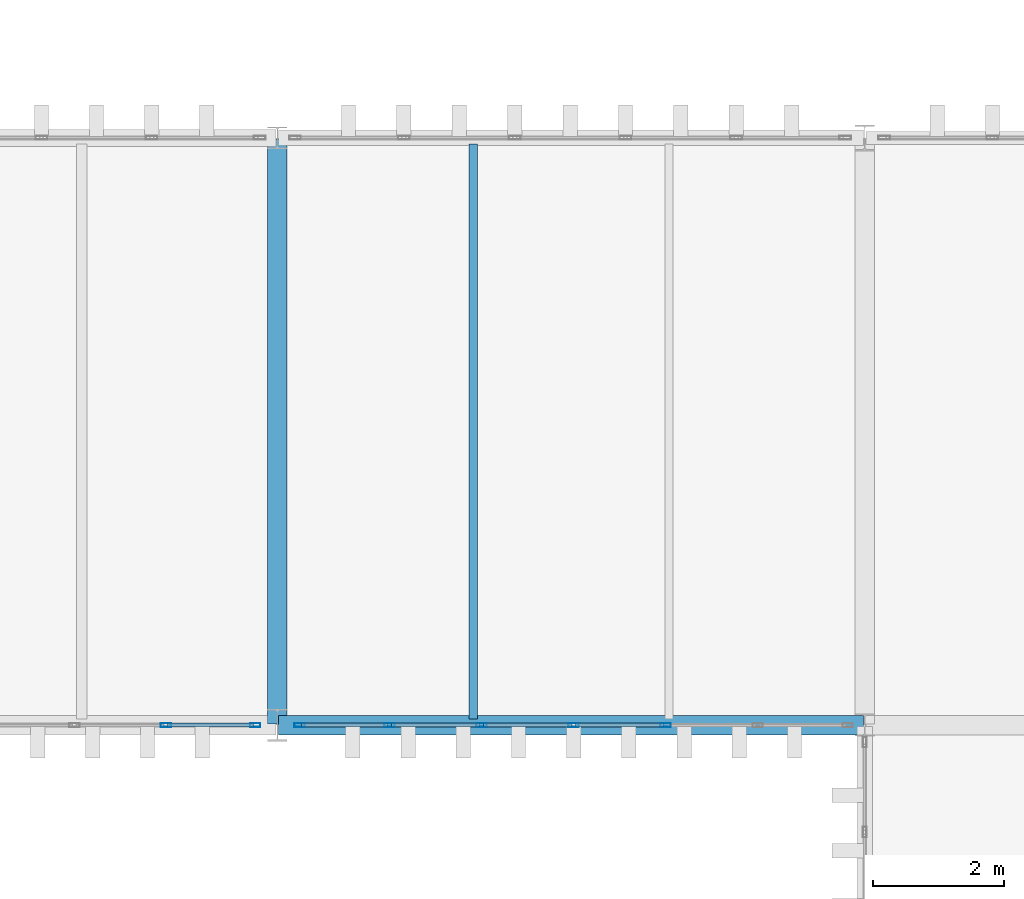
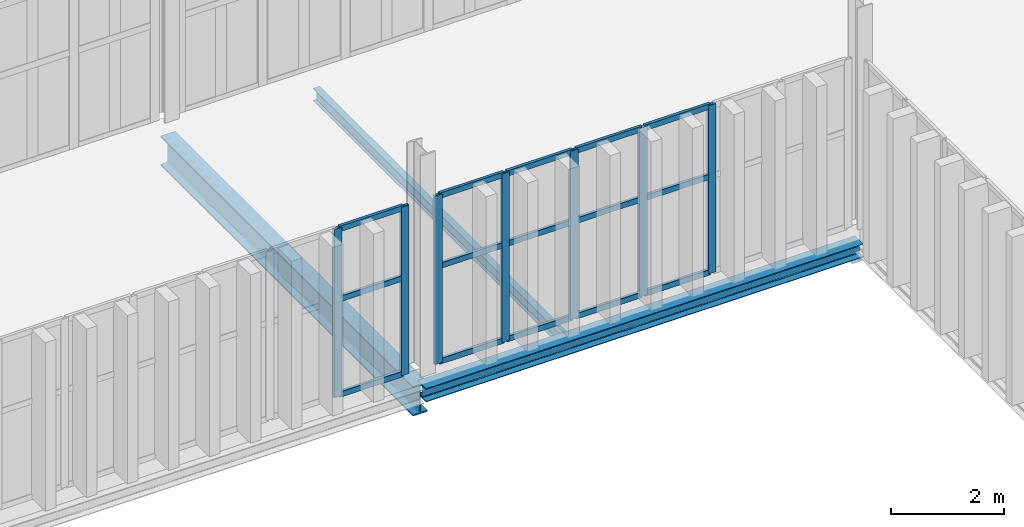
# One storey, part 142 of 196: 22 members, 3 beams, 2 elements without a shape of their own.
"""IFC4 building model written with IfcOpenShell, lengths in metres."""

import ifcopenshell
import ifcopenshell.guid

model = None  # the IFC model being written
_history = None  # IfcOwnerHistory: only IFC2X3 demands one
_inside = {}  # id of a spatial element -> (the spatial element, [elements in it])
_under = {}  # id of a project, library or spatial element -> (it, [spatial elements below it])
_declared = {}  # id of a project -> (the project, [libraries it declares])
_typed = {}  # id of a type object -> (the type object, [elements of that type])
_made_of = {}  # id of a material, layer set ... -> (it, [elements and type objects made of it])


def new_model(schema):
    """Start an empty IFC model of exactly this schema.

    Asked for "IFC4X3", IfcOpenShell would pick the latest addendum, in which some entities
    have other attributes; the version numbers below select the first issue.
    IFC2X3 requires an IfcOwnerHistory on every rooted entity: one is made here for all.
    """
    global model, _history
    if schema == "IFC4X3":
        model = ifcopenshell.file(schema_version=(4, 3, 0, 0))
    else:
        model = ifcopenshell.file(schema=schema)
    _inside.clear()
    _under.clear()
    _declared.clear()
    _typed.clear()
    _made_of.clear()
    _history = None
    if model.schema == "IFC2X3":
        org = make("IfcOrganization", Name="unknown")
        user = make(
            "IfcPersonAndOrganization",
            ThePerson=make("IfcPerson", FamilyName="unknown"),
            TheOrganization=org,
        )
        app = make(
            "IfcApplication",
            ApplicationDeveloper=org,
            Version="unknown",
            ApplicationFullName="unknown",
            ApplicationIdentifier="unknown",
        )
        _history = make(
            "IfcOwnerHistory",
            OwningUser=user,
            OwningApplication=app,
            ChangeAction="ADDED",
            CreationDate=0,
        )
    return model


def make(cls, **values):
    """One entity of the class cls with the attributes given. An attribute that is None is left unset."""
    return model.create_entity(
        cls, **{name: value for name, value in values.items() if value is not None}
    )


def rooted(cls, **values):
    """An entity with a GlobalId (a new one), such as an element, a storey or a relation."""
    return make(cls, GlobalId=ifcopenshell.guid.new(), OwnerHistory=_history, **values)


def si_unit(unit_type, name, prefix=None):
    """IfcSIUnit, for example si_unit("LENGTHUNIT", "METRE", prefix="MILLI")."""
    return make("IfcSIUnit", UnitType=unit_type, Prefix=prefix, Name=name)


def assignment(units):
    """IfcUnitAssignment: the units of a project."""
    return None if units is None else make("IfcUnitAssignment", Units=units)


def point(xyz):
    """IfcCartesianPoint."""
    return None if xyz is None else make("IfcCartesianPoint", Coordinates=xyz)


def direction(xyz):
    """IfcDirection."""
    return None if xyz is None else make("IfcDirection", DirectionRatios=xyz)


def frame(location, z_axis=None, x_axis=None):
    """IfcAxis2Placement3D, a coordinate frame: its origin and axes. An axis left out is left unset."""
    return make(
        "IfcAxis2Placement3D",
        Location=point(location),
        Axis=direction(z_axis),
        RefDirection=direction(x_axis),
    )


def frame_2d(location, x_axis=None):
    """IfcAxis2Placement2D, a coordinate frame in the plane: its origin and x axis."""
    return make(
        "IfcAxis2Placement2D", Location=point(location), RefDirection=direction(x_axis)
    )


def origin():
    """The frame at (0, 0, 0) with its axes left unset."""
    return frame((0.0, 0.0, 0.0))


def origin_2d():
    """The frame at (0, 0) in the plane with its x axis left unset."""
    return frame_2d((0.0, 0.0))


def place(relative_to, where):
    """IfcLocalPlacement: puts the frame where relative to a parent placement (None: the world)."""
    return make(
        "IfcLocalPlacement", PlacementRelTo=relative_to, RelativePlacement=where
    )


def context(
    kind, dimensions, precision=None, world=None, true_north=None, identifier=None
):
    """IfcGeometricRepresentationContext, for example the 3D "Model" context."""
    return make(
        "IfcGeometricRepresentationContext",
        ContextIdentifier=identifier,
        ContextType=kind,
        CoordinateSpaceDimension=dimensions,
        Precision=precision,
        WorldCoordinateSystem=world,
        TrueNorth=true_north,
    )


def subcontext(parent, identifier, kind, view, scale=None):
    """IfcGeometricRepresentationSubContext, for example "Body" below "Model"."""
    return make(
        "IfcGeometricRepresentationSubContext",
        ContextIdentifier=identifier,
        ContextType=kind,
        ParentContext=parent,
        TargetScale=scale,
        TargetView=view,
    )


def project(units=None, contexts=None):
    """IfcProject with its units and contexts."""
    return rooted(
        "IfcProject",
        Name="project",
        RepresentationContexts=contexts,
        UnitsInContext=assignment(units),
    )


def spatial(cls, under=None, at=None, **own):
    """A site, building, storey or space (cls), placed at a placement, below another one or the project."""
    s = rooted(cls, ObjectPlacement=at, **own)
    if under is not None:
        _under.setdefault(under.id(), (under, []))[1].append(s)
    return s


def profile(cls, at=None, kind="AREA", **sizes):
    """A parametric profile (cls). Its sizes go by their IFC names, for example OverallWidth=200.0."""
    return make(cls, ProfileType=kind, Position=at, **sizes)


def hollow_rectangle(**sizes):
    """IfcRectangleHollowProfileDef."""
    return profile("IfcRectangleHollowProfileDef", **sizes)


def i_section(**sizes):
    """IfcIShapeProfileDef."""
    return profile("IfcIShapeProfileDef", **sizes)


def extrude(swept, where, along, depth):
    """IfcExtrudedAreaSolid: the profile swept, set in the frame where, extruded along a direction by depth."""
    return make(
        "IfcExtrudedAreaSolid",
        SweptArea=swept,
        Position=where,
        ExtrudedDirection=direction(along),
        Depth=depth,
    )


def shape(context_of_items, identifier, shape_type, items):
    """IfcShapeRepresentation: the items that make up one representation, for example the "Body"."""
    return make(
        "IfcShapeRepresentation",
        ContextOfItems=context_of_items,
        RepresentationIdentifier=identifier,
        RepresentationType=shape_type,
        Items=items,
    )


def material(Name=None, Category=None):
    """IfcMaterial."""
    return make("IfcMaterial", Name=Name, Category=Category)


def layer(
    of_material, thickness, ventilated=None, Name=None, Category=None, Priority=None
):
    """IfcMaterialLayer: one layer of a wall or slab, of a material (None: an air gap)."""
    return make(
        "IfcMaterialLayer",
        Material=of_material,
        LayerThickness=thickness,
        IsVentilated=ventilated,
        Name=Name,
        Category=Category,
        Priority=Priority,
    )


def layer_set(layers, Name=None):
    """IfcMaterialLayerSet."""
    return make("IfcMaterialLayerSet", MaterialLayers=layers, LayerSetName=Name)


def material_profile(
    of_material, cross_section, Name=None, Category=None, Priority=None
):
    """IfcMaterialProfile: a cross section and its material."""
    return make(
        "IfcMaterialProfile",
        Name=Name,
        Material=of_material,
        Profile=cross_section,
        Priority=Priority,
        Category=Category,
    )


def profile_set(profiles, Name=None, composite=None):
    """IfcMaterialProfileSet."""
    return make(
        "IfcMaterialProfileSet",
        Name=Name,
        MaterialProfiles=profiles,
        CompositeProfile=composite,
    )


def made_of(thing, what):
    """Note that an element or type object is made of a material, layer set ...; save() writes the relation."""
    if what is not None:
        _made_of.setdefault(what.id(), (what, []))[1].append(thing)
    return thing


def type_object(cls, material=None, **own):
    """A type object (cls), such as IfcWallType, which elements share."""
    return made_of(rooted(cls, **own), material)


def element(
    cls,
    number,
    at=None,
    inside=None,
    cuts=None,
    type_object=None,
    material=None,
    context=None,
    identifier="Body",
    shape_type=None,
    held_by="IfcProductDefinitionShape",
    body=None,
    shapes=None,
    **own,
):
    """One element of the class cls, such as IfcWall. Its Tag is "e" and its number.

    at: its placement. inside: the storey or other place that contains it. cuts: it is an
    opening in that element (IfcRelVoidsElement). A single representation is given by context,
    identifier, shape_type and body (its items); several are given by shapes. held_by: the class
    of the entity that holds the representations. save() writes the other relations.
    """
    e = rooted(cls, Tag="e%d" % number, ObjectPlacement=at, **own)
    if body is not None:
        shapes = [shape(context, identifier, shape_type, body)]
    if shapes is not None:
        e.Representation = make(held_by, Representations=shapes)
    if inside is not None:
        _inside.setdefault(inside.id(), (inside, []))[1].append(e)
    if cuts is not None:
        rooted(
            "IfcRelVoidsElement", RelatingBuildingElement=cuts, RelatedOpeningElement=e
        )
    if type_object is not None:
        _typed.setdefault(type_object.id(), (type_object, []))[1].append(e)
    return made_of(e, material)


def aggregate(whole, parts):
    """IfcRelAggregates: a whole, such as a stair, and the parts it consists of."""
    return rooted("IfcRelAggregates", RelatingObject=whole, RelatedObjects=parts)


def save(model, path):
    """Write the relations noted so far, then the file.

    IfcRelAggregates (storeys below a building ...), IfcRelContainedInSpatialStructure (elements
    in a storey), IfcRelDefinesByType, IfcRelAssociatesMaterial and IfcRelDeclares: one each for
    every whole, place, type object, material and project.
    """
    for whole, parts in _under.values():
        aggregate(whole, parts)
    for where, things in _inside.values():
        rooted(
            "IfcRelContainedInSpatialStructure",
            RelatedElements=things,
            RelatingStructure=where,
        )
    for kind, things in _typed.values():
        rooted("IfcRelDefinesByType", RelatedObjects=things, RelatingType=kind)
    for what, things in _made_of.values():
        rooted("IfcRelAssociatesMaterial", RelatedObjects=things, RelatingMaterial=what)
    for by, libraries in _declared.values():
        rooted("IfcRelDeclares", RelatingContext=by, RelatedDefinitions=libraries)
    model.write(path)


model = new_model("IFC4")

# Units and contexts
model_context = context("Model", 3, precision=1e-05, world=origin(), true_north=direction((0.0, 1.0)))
body_context = subcontext(model_context, "Body", "Model", "MODEL_VIEW")
ifc_project = project(units=[si_unit("LENGTHUNIT", "METRE"), si_unit("AREAUNIT", "SQUARE_METRE"), si_unit("VOLUMEUNIT", "CUBIC_METRE"), si_unit("PLANEANGLEUNIT", "RADIAN"), si_unit("MASSUNIT", "GRAM", prefix="KILO")], contexts=[model_context])

# Site, building, storey
site_placement = place(None, origin())
site = spatial("IfcSite", under=ifc_project, at=site_placement, CompositionType="ELEMENT")
building_placement = place(site_placement, origin())
building = spatial("IfcBuilding", under=site, at=building_placement, Name="Barlavento Convention Centre", CompositionType="ELEMENT")
storey_placement = place(building_placement, frame((0.0, 0.0, 18.0)))
storey = spatial("IfcBuildingStorey", under=building, at=storey_placement, Name="L03", CompositionType="ELEMENT", Elevation=18.0)

# Curtain wall, members
ifc_material_1 = material(Name="Powder-coated aluminium and Low-E glass", Category="aluminium")
ifc_layer = layer(ifc_material_1, 0.179931640625)
ifc_layer_set = layer_set([ifc_layer], Name="ARC-CW-PATIO-B")
curtain_wall_type = type_object("IfcCurtainWallType", Name="ARC-CW-PATIO-B", PredefinedType="NOTDEFINED", material=ifc_layer_set)
curtain_wall_1_placement = place(storey_placement, origin())
curtain_wall_1 = element("IfcCurtainWall", 1, at=curtain_wall_1_placement, inside=storey, type_object=curtain_wall_type, Name="L03 unitised curtain wall CW12", PredefinedType="NOTDEFINED")
ifc_material_2 = material(Name="Powder-coated aluminium", Category="aluminium")
ifc_material_profile_1 = material_profile(ifc_material_2, hollow_rectangle(XDim=0.06005859375, YDim=0.159912109375, WallThickness=0.00390625, at=origin_2d()), Name="AL-MULL 60x160x4")
ifc_profile_set_1 = profile_set([ifc_material_profile_1], Name="Powder-coated aluminium")
member_type_1 = type_object("IfcMemberType", Name="ARC-CWM-60X160", PredefinedType="MULLION", material=ifc_profile_set_1)
member_1_placement = place(storey_placement, frame((160.2890625, 90.0, 0.0), z_axis=(0.0, 0.0, 1.0), x_axis=(0.0, 1.0, 0.0)))
member_1 = element("IfcMember", 2, at=member_1_placement, type_object=member_type_1, Name="CW12 mullion 6", PredefinedType="MULLION", context=body_context, shape_type="SweptSolid", body=[
    extrude(hollow_rectangle(XDim=0.06005859375, YDim=0.159912109375, WallThickness=0.00390625, at=origin_2d()), origin(), (0.0, 0.0, 1.0), 3.64990234375),
])
member_2_placement = place(storey_placement, frame((161.659912109375, 90.0, 0.0), z_axis=(0.0, 0.0, 1.0), x_axis=(0.0, 1.0, 0.0)))
member_2 = element("IfcMember", 3, at=member_2_placement, type_object=member_type_1, Name="CW12 mullion 7", PredefinedType="MULLION", context=body_context, shape_type="SweptSolid", body=[
    extrude(hollow_rectangle(XDim=0.06005859375, YDim=0.159912109375, WallThickness=0.00390625, at=origin_2d()), origin(), (0.0, 0.0, 1.0), 3.64990234375),
])

curtain_wall_2_placement = place(storey_placement, origin())
curtain_wall_2 = element("IfcCurtainWall", 4, at=curtain_wall_2_placement, inside=storey, type_object=curtain_wall_type, Name="L03 unitised curtain wall CW12", PredefinedType="NOTDEFINED")
member_3_placement = place(storey_placement, frame((162.340087890625, 90.0, 0.0), z_axis=(0.0, 0.0, 1.0), x_axis=(0.0, 1.0, 0.0)))
member_3 = element("IfcMember", 5, at=member_3_placement, type_object=member_type_1, Name="CW12 mullion 1", PredefinedType="MULLION", context=body_context, shape_type="SweptSolid", body=[
    extrude(hollow_rectangle(XDim=0.06005859375, YDim=0.159912109375, WallThickness=0.00390625, at=origin_2d()), origin(), (0.0, 0.0, 1.0), 3.64990234375),
])
member_4_placement = place(storey_placement, frame((163.719970703125, 90.0, 0.0), z_axis=(0.0, 0.0, 1.0), x_axis=(0.0, 1.0, 0.0)))
member_4 = element("IfcMember", 6, at=member_4_placement, type_object=member_type_1, Name="CW12 mullion 2", PredefinedType="MULLION", context=body_context, shape_type="SweptSolid", body=[
    extrude(hollow_rectangle(XDim=0.06005859375, YDim=0.159912109375, WallThickness=0.00390625, at=origin_2d()), origin(), (0.0, 0.0, 1.0), 3.64990234375),
])
member_5_placement = place(storey_placement, frame((165.1298828125, 90.0, 0.0), z_axis=(0.0, 0.0, 1.0), x_axis=(0.0, 1.0, 0.0)))
member_5 = element("IfcMember", 7, at=member_5_placement, type_object=member_type_1, Name="CW12 mullion 3", PredefinedType="MULLION", context=body_context, shape_type="SweptSolid", body=[
    extrude(hollow_rectangle(XDim=0.06005859375, YDim=0.159912109375, WallThickness=0.00390625, at=origin_2d()), origin(), (0.0, 0.0, 1.0), 3.64990234375),
])
member_6_placement = place(storey_placement, frame((166.5400390625, 90.0, 0.0), z_axis=(0.0, 0.0, 1.0), x_axis=(0.0, 1.0, 0.0)))
member_6 = element("IfcMember", 8, at=member_6_placement, type_object=member_type_1, Name="CW12 mullion 4", PredefinedType="MULLION", context=body_context, shape_type="SweptSolid", body=[
    extrude(hollow_rectangle(XDim=0.06005859375, YDim=0.159912109375, WallThickness=0.00390625, at=origin_2d()), origin(), (0.0, 0.0, 1.0), 3.64990234375),
])
member_7_placement = place(storey_placement, frame((167.949951171875, 90.0, 0.0), z_axis=(0.0, 0.0, 1.0), x_axis=(0.0, 1.0, 0.0)))
member_7 = element("IfcMember", 9, at=member_7_placement, type_object=member_type_1, Name="CW12 mullion 5", PredefinedType="MULLION", context=body_context, shape_type="SweptSolid", body=[
    extrude(hollow_rectangle(XDim=0.06005859375, YDim=0.159912109375, WallThickness=0.00390625, at=origin_2d()), origin(), (0.0, 0.0, 1.0), 3.64990234375),
])

# Member
ifc_material_profile_2 = material_profile(ifc_material_2, hollow_rectangle(XDim=0.06005859375, YDim=0.1201171875, WallThickness=0.00390625, at=origin_2d()), Name="AL-TRAN 60x120x4")
ifc_profile_set_2 = profile_set([ifc_material_profile_2], Name="Powder-coated aluminium")
member_type_2 = type_object("IfcMemberType", Name="ARC-CWT-60X120", PredefinedType="USERDEFINED", material=ifc_profile_set_2)
member_8_placement = place(storey_placement, frame((160.319091796875, 90.0, 0.030029296875), z_axis=(1.0, 0.0, 0.0), x_axis=(0.0, 1.0, 0.0)))
member_8 = element("IfcMember", 10, at=member_8_placement, type_object=member_type_2, Name="CW12 transom 6.1", ObjectType="TRANSOM", PredefinedType="USERDEFINED", context=body_context, shape_type="SweptSolid", body=[
    extrude(hollow_rectangle(XDim=0.06005859375, YDim=0.1201171875, WallThickness=0.00390625, at=origin_2d()), origin(), (0.0, 0.0, 1.0), 1.310791015625),
])

member_9_placement = place(storey_placement, frame((160.319091796875, 90.0, 2.10009765625), z_axis=(1.0, 0.0, 0.0), x_axis=(0.0, 1.0, 0.0)))
member_9 = element("IfcMember", 11, at=member_9_placement, type_object=member_type_2, Name="CW12 transom 6.2", ObjectType="TRANSOM", PredefinedType="USERDEFINED", context=body_context, shape_type="SweptSolid", body=[
    extrude(hollow_rectangle(XDim=0.06005859375, YDim=0.1201171875, WallThickness=0.00390625, at=origin_2d()), origin(), (0.0, 0.0, 1.0), 1.310791015625),
])

member_10_placement = place(storey_placement, frame((160.319091796875, 90.0, 3.6201171875), z_axis=(1.0, 0.0, 0.0), x_axis=(0.0, 1.0, 0.0)))
member_10 = element("IfcMember", 12, at=member_10_placement, type_object=member_type_2, Name="CW12 transom 6.3", ObjectType="TRANSOM", PredefinedType="USERDEFINED", context=body_context, shape_type="SweptSolid", body=[
    extrude(hollow_rectangle(XDim=0.06005859375, YDim=0.1201171875, WallThickness=0.00390625, at=origin_2d()), origin(), (0.0, 0.0, 1.0), 1.310791015625),
])

aggregate(curtain_wall_1, [member_1, member_2, member_8, member_9, member_10])

member_11_placement = place(storey_placement, frame((162.3701171875, 90.0, 0.030029296875), z_axis=(1.0, 0.0, 0.0), x_axis=(0.0, 1.0, 0.0)))
member_11 = element("IfcMember", 13, at=member_11_placement, type_object=member_type_2, Name="CW12 transom 1.1", ObjectType="TRANSOM", PredefinedType="USERDEFINED", context=body_context, shape_type="SweptSolid", body=[
    extrude(hollow_rectangle(XDim=0.06005859375, YDim=0.1201171875, WallThickness=0.00390625, at=origin_2d()), origin(), (0.0, 0.0, 1.0), 1.31982421875),
])

member_12_placement = place(storey_placement, frame((162.3701171875, 90.0, 2.10009765625), z_axis=(1.0, 0.0, 0.0), x_axis=(0.0, 1.0, 0.0)))
member_12 = element("IfcMember", 14, at=member_12_placement, type_object=member_type_2, Name="CW12 transom 1.2", ObjectType="TRANSOM", PredefinedType="USERDEFINED", context=body_context, shape_type="SweptSolid", body=[
    extrude(hollow_rectangle(XDim=0.06005859375, YDim=0.1201171875, WallThickness=0.00390625, at=origin_2d()), origin(), (0.0, 0.0, 1.0), 1.31982421875),
])

member_13_placement = place(storey_placement, frame((162.3701171875, 90.0, 3.6201171875), z_axis=(1.0, 0.0, 0.0), x_axis=(0.0, 1.0, 0.0)))
member_13 = element("IfcMember", 15, at=member_13_placement, type_object=member_type_2, Name="CW12 transom 1.3", ObjectType="TRANSOM", PredefinedType="USERDEFINED", context=body_context, shape_type="SweptSolid", body=[
    extrude(hollow_rectangle(XDim=0.06005859375, YDim=0.1201171875, WallThickness=0.00390625, at=origin_2d()), origin(), (0.0, 0.0, 1.0), 1.31982421875),
])

member_14_placement = place(storey_placement, frame((163.75, 90.0, 0.030029296875), z_axis=(1.0, 0.0, 0.0), x_axis=(0.0, 1.0, 0.0)))
member_14 = element("IfcMember", 16, at=member_14_placement, type_object=member_type_2, Name="CW12 transom 2.1", ObjectType="TRANSOM", PredefinedType="USERDEFINED", context=body_context, shape_type="SweptSolid", body=[
    extrude(hollow_rectangle(XDim=0.06005859375, YDim=0.1201171875, WallThickness=0.00390625, at=origin_2d()), origin(), (0.0, 0.0, 1.0), 1.35009765625),
])

member_15_placement = place(storey_placement, frame((163.75, 90.0, 2.10009765625), z_axis=(1.0, 0.0, 0.0), x_axis=(0.0, 1.0, 0.0)))
member_15 = element("IfcMember", 17, at=member_15_placement, type_object=member_type_2, Name="CW12 transom 2.2", ObjectType="TRANSOM", PredefinedType="USERDEFINED", context=body_context, shape_type="SweptSolid", body=[
    extrude(hollow_rectangle(XDim=0.06005859375, YDim=0.1201171875, WallThickness=0.00390625, at=origin_2d()), origin(), (0.0, 0.0, 1.0), 1.35009765625),
])

member_16_placement = place(storey_placement, frame((163.75, 90.0, 3.6201171875), z_axis=(1.0, 0.0, 0.0), x_axis=(0.0, 1.0, 0.0)))
member_16 = element("IfcMember", 18, at=member_16_placement, type_object=member_type_2, Name="CW12 transom 2.3", ObjectType="TRANSOM", PredefinedType="USERDEFINED", context=body_context, shape_type="SweptSolid", body=[
    extrude(hollow_rectangle(XDim=0.06005859375, YDim=0.1201171875, WallThickness=0.00390625, at=origin_2d()), origin(), (0.0, 0.0, 1.0), 1.35009765625),
])

member_17_placement = place(storey_placement, frame((165.159912109375, 90.0, 0.030029296875), z_axis=(1.0, 0.0, 0.0), x_axis=(0.0, 1.0, 0.0)))
member_17 = element("IfcMember", 19, at=member_17_placement, type_object=member_type_2, Name="CW12 transom 3.1", ObjectType="TRANSOM", PredefinedType="USERDEFINED", context=body_context, shape_type="SweptSolid", body=[
    extrude(hollow_rectangle(XDim=0.06005859375, YDim=0.1201171875, WallThickness=0.00390625, at=origin_2d()), origin(), (0.0, 0.0, 1.0), 1.35009765625),
])

member_18_placement = place(storey_placement, frame((165.159912109375, 90.0, 2.10009765625), z_axis=(1.0, 0.0, 0.0), x_axis=(0.0, 1.0, 0.0)))
member_18 = element("IfcMember", 20, at=member_18_placement, type_object=member_type_2, Name="CW12 transom 3.2", ObjectType="TRANSOM", PredefinedType="USERDEFINED", context=body_context, shape_type="SweptSolid", body=[
    extrude(hollow_rectangle(XDim=0.06005859375, YDim=0.1201171875, WallThickness=0.00390625, at=origin_2d()), origin(), (0.0, 0.0, 1.0), 1.35009765625),
])

member_19_placement = place(storey_placement, frame((165.159912109375, 90.0, 3.6201171875), z_axis=(1.0, 0.0, 0.0), x_axis=(0.0, 1.0, 0.0)))
member_19 = element("IfcMember", 21, at=member_19_placement, type_object=member_type_2, Name="CW12 transom 3.3", ObjectType="TRANSOM", PredefinedType="USERDEFINED", context=body_context, shape_type="SweptSolid", body=[
    extrude(hollow_rectangle(XDim=0.06005859375, YDim=0.1201171875, WallThickness=0.00390625, at=origin_2d()), origin(), (0.0, 0.0, 1.0), 1.35009765625),
])

member_20_placement = place(storey_placement, frame((166.570068359375, 90.0, 0.030029296875), z_axis=(1.0, 0.0, 0.0), x_axis=(0.0, 1.0, 0.0)))
member_20 = element("IfcMember", 22, at=member_20_placement, type_object=member_type_2, Name="CW12 transom 4.1", ObjectType="TRANSOM", PredefinedType="USERDEFINED", context=body_context, shape_type="SweptSolid", body=[
    extrude(hollow_rectangle(XDim=0.06005859375, YDim=0.1201171875, WallThickness=0.00390625, at=origin_2d()), origin(), (0.0, 0.0, 1.0), 1.349853515625),
])

member_21_placement = place(storey_placement, frame((166.570068359375, 90.0, 2.10009765625), z_axis=(1.0, 0.0, 0.0), x_axis=(0.0, 1.0, 0.0)))
member_21 = element("IfcMember", 23, at=member_21_placement, type_object=member_type_2, Name="CW12 transom 4.2", ObjectType="TRANSOM", PredefinedType="USERDEFINED", context=body_context, shape_type="SweptSolid", body=[
    extrude(hollow_rectangle(XDim=0.06005859375, YDim=0.1201171875, WallThickness=0.00390625, at=origin_2d()), origin(), (0.0, 0.0, 1.0), 1.349853515625),
])

member_22_placement = place(storey_placement, frame((166.570068359375, 90.0, 3.6201171875), z_axis=(1.0, 0.0, 0.0), x_axis=(0.0, 1.0, 0.0)))
member_22 = element("IfcMember", 24, at=member_22_placement, type_object=member_type_2, Name="CW12 transom 4.3", ObjectType="TRANSOM", PredefinedType="USERDEFINED", context=body_context, shape_type="SweptSolid", body=[
    extrude(hollow_rectangle(XDim=0.06005859375, YDim=0.1201171875, WallThickness=0.00390625, at=origin_2d()), origin(), (0.0, 0.0, 1.0), 1.349853515625),
])

aggregate(curtain_wall_2, [member_3, member_4, member_5, member_6, member_7, member_11, member_12, member_13, member_14, member_15, member_16, member_17, member_18, member_19, member_20, member_21, member_22])

# Beams
ifc_material_3 = material(Name="Steel S355", Category="steel")
ifc_material_profile_3 = material_profile(ifc_material_3, i_section(OverallWidth=0.135009765625, OverallDepth=0.27001953125, WebThickness=0.006591796875, FlangeThickness=0.01025390625, FilletRadius=0.014892578125, at=origin_2d()), Name="IPE 270")
ifc_profile_set_3 = profile_set([ifc_material_profile_3], Name="Steel S355")
beam_type_1 = type_object("IfcBeamType", Name="STR-BM-JST-IPE270", PredefinedType="JOIST", material=ifc_profile_set_3)
beam_1_placement = place(storey_placement, frame((165.0, 90.094970703125, -0.4951171875), z_axis=(0.0, 1.0, 0.0), x_axis=(-1.0, 0.0, 0.0)))
element("IfcBeam", 25, at=beam_1_placement, inside=storey, type_object=beam_type_1, Name="L03 composite floor joist SJ08", PredefinedType="JOIST", context=body_context, shape_type="SweptSolid", body=[
    extrude(i_section(OverallWidth=0.135009765625, OverallDepth=0.27001953125, WebThickness=0.006591796875, FlangeThickness=0.01025390625, FilletRadius=0.014892578125, at=origin_2d()), origin(), (0.0, 0.0, 1.0), 8.81005859375),
])
ifc_material_profile_4 = material_profile(ifc_material_3, i_section(OverallWidth=0.300048828125, OverallDepth=0.639892578125, WebThickness=0.013427734375, FlangeThickness=0.02587890625, FilletRadius=0.027099609375, at=origin_2d()), Name="HEA 650")
ifc_profile_set_4 = profile_set([ifc_material_profile_4], Name="Steel S355")
beam_type_2 = type_object("IfcBeamType", Name="STR-BM-PRI-HEA650", PredefinedType="BEAM", material=ifc_profile_set_4)
beam_2_placement = place(storey_placement, frame((162.0, 90.02001953125, -0.679931640625), z_axis=(0.0, 1.0, 0.0), x_axis=(-1.0, 0.0, 0.0)))
element("IfcBeam", 26, at=beam_2_placement, inside=storey, type_object=beam_type_2, Name="L03 grid girder BG17", PredefinedType="BEAM", context=body_context, shape_type="SweptSolid", body=[
    extrude(i_section(OverallWidth=0.300048828125, OverallDepth=0.639892578125, WebThickness=0.013427734375, FlangeThickness=0.02587890625, FilletRadius=0.027099609375, at=origin_2d()), origin(), (0.0, 0.0, 1.0), 8.9599609375),
])
ifc_material_profile_5 = material_profile(ifc_material_3, i_section(OverallWidth=0.300048828125, OverallDepth=0.2900390625, WebThickness=0.008544921875, FlangeThickness=0.013916015625, FilletRadius=0.027099609375, at=origin_2d()), Name="HEA 300")
ifc_profile_set_5 = profile_set([ifc_material_profile_5], Name="Steel S355")
beam_type_3 = type_object("IfcBeamType", Name="STR-BM-SPN-HEA300", PredefinedType="SPANDREL", material=ifc_profile_set_5)
beam_3_placement = place(storey_placement, frame((162.02001953125, 90.0, -0.5048828125), z_axis=(1.0, 0.0, 0.0), x_axis=(0.0, 1.0, 0.0)))
element("IfcBeam", 27, at=beam_3_placement, inside=storey, type_object=beam_type_3, Name="L03 primary girder SP02", PredefinedType="SPANDREL", context=body_context, shape_type="SweptSolid", body=[
    extrude(i_section(OverallWidth=0.300048828125, OverallDepth=0.2900390625, WebThickness=0.008544921875, FlangeThickness=0.013916015625, FilletRadius=0.027099609375, at=origin_2d()), origin(), (0.0, 0.0, 1.0), 8.9599609375),
])

save(model, "model.ifc")
